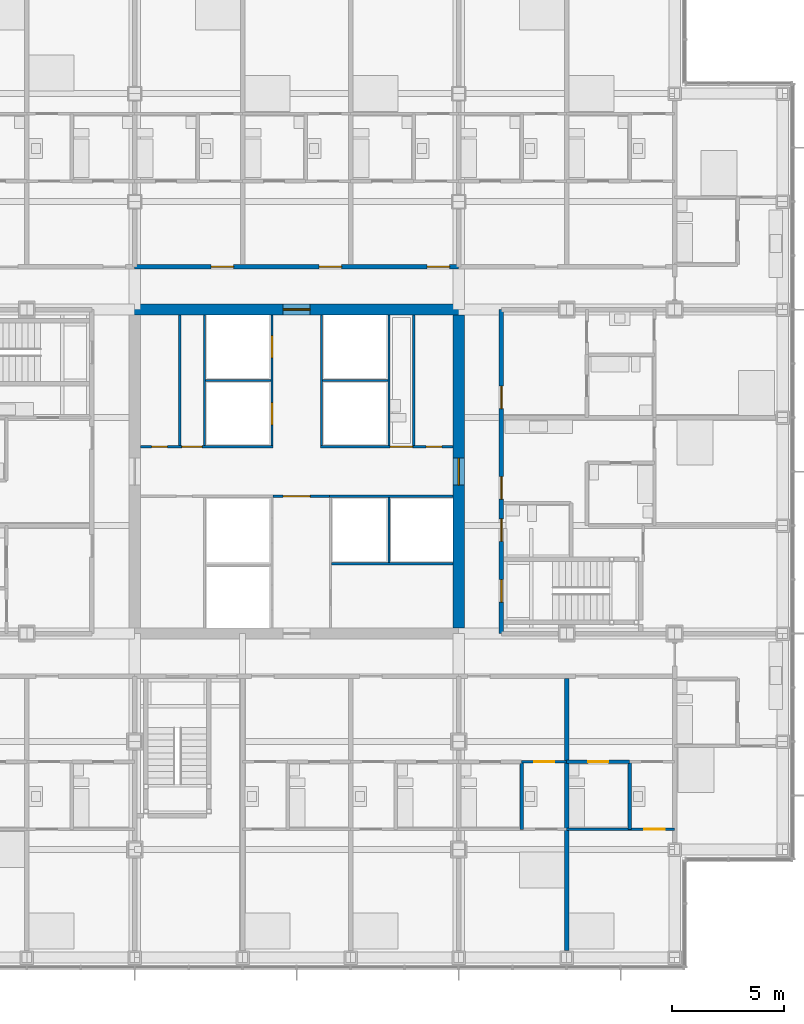
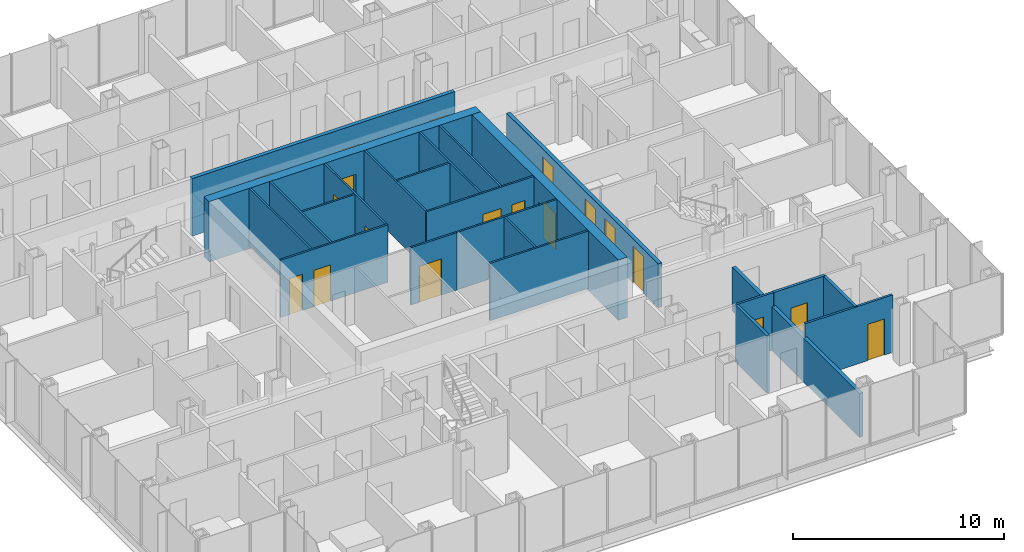
# One storey, part 16 of 22: 24 walls, 19 doors, 19 openings.
"""IFC4 building model written with IfcOpenShell, lengths in metres."""

from ifc_helpers import new_model, si_unit, direction, frame, frame_2d, origin, place, context, subcontext, project, spatial, rectangle, extrude, material, layer, layer_set, type_object, element, fill, save


model = new_model("IFC4")

# Units and contexts
model_context = context("Model", 3, precision=1e-05, world=origin(), true_north=direction((0.0, 1.0)))
body_context = subcontext(model_context, "Body", "Model", "MODEL_VIEW")
ifc_project = project(units=[si_unit("LENGTHUNIT", "METRE"), si_unit("AREAUNIT", "SQUARE_METRE"), si_unit("VOLUMEUNIT", "CUBIC_METRE"), si_unit("PLANEANGLEUNIT", "RADIAN"), si_unit("MASSUNIT", "GRAM", prefix="KILO")], contexts=[model_context])

# Site, building, storey
site_placement = place(None, origin())
site = spatial("IfcSite", under=ifc_project, at=site_placement, CompositionType="ELEMENT")
building_placement = place(site_placement, origin())
building = spatial("IfcBuilding", under=site, at=building_placement, Name="Kvirike Care Tower", CompositionType="ELEMENT")
storey_placement = place(building_placement, frame((0.0, 0.0, 69.0)))
storey = spatial("IfcBuildingStorey", under=building, at=storey_placement, Name="L18", CompositionType="ELEMENT", Elevation=69.0)

# Walls
ifc_material_1 = material(Name="Moisture-resistant board partition", Category="gypsum")
ifc_layer_1 = layer(ifc_material_1, 0.14990234375)
ifc_layer_set_1 = layer_set([ifc_layer_1], Name="BATHROOM WALL 150")
wall_type_1 = type_object("IfcWallType", Name="BATHROOM WALL 150", PredefinedType="PARTITIONING", material=ifc_layer_set_1)
for number, where, z_axis, x_axis, name in (
    (1, (31.60009765625, 20.10009765625, 0.0), (0.0, 0.0, 1.0), (0.0, 1.0, 0.0), "Bathroom Wall 150 L18"),
    (2, (36.39990234375, 20.10009765625, 0.0), (0.0, 0.0, 1.0), (0.0, 1.0, 0.0), "Bathroom Wall 150 L18"),
):
    element("IfcWall", number, at=place(storey_placement, frame(where, z_axis=z_axis, x_axis=x_axis)), inside=storey, type_object=wall_type_1, Name=name, PredefinedType="PARTITIONING", context=body_context, shape_type="SweptSolid", body=[
        extrude(rectangle(XDim=3.0, YDim=0.14990234375, at=frame_2d((1.5, 0.0))), origin(), (0.0, 0.0, 1.0), 3.330078125),
    ])

# Wall, opening, door
wall_1_placement = place(storey_placement, frame((33.60009765625, 23.10009765625, 0.0), z_axis=(0.0, 0.0, 1.0), x_axis=(1.0, 0.0, 0.0)))
wall_1 = element("IfcWall", 3, at=wall_1_placement, inside=storey, type_object=wall_type_1, Name="Bathroom Wall 150 L18", PredefinedType="PARTITIONING", context=body_context, shape_type="SweptSolid", body=[
    extrude(rectangle(XDim=2.7998046875, YDim=0.14990234375, at=frame_2d((1.39990234375, 0.0))), origin(), (0.0, 0.0, 1.0), 3.330078125),
])
opening_1_placement = place(wall_1_placement, frame((0.949951171875, 0.0, 0.0)))
opening_1 = element("IfcOpeningElement", 4, at=opening_1_placement, cuts=wall_1, Name="Opening 18-058", PredefinedType="OPENING", context=body_context, shape_type="SweptSolid", body=[
    extrude(rectangle(XDim=0.89990234375, YDim=2.10009765625, at=frame_2d((0.449951171875, 1.050048828125))), frame((0.0, 0.08544921875, 0.0), z_axis=(0.0, -1.0, 0.0), x_axis=(1.0, 0.0, 0.0)), (0.0, 0.0, 1.0), 0.1708984375),
])
ifc_material_2 = material(Name="Timber door set", Category="wood")
door_type_1 = type_object("IfcDoorType", Name="BATHROOM DOOR 900", OperationType="SINGLE_SWING_RIGHT", PredefinedType="DOOR", material=ifc_material_2)
door_1_placement = place(opening_1_placement, frame((0.89990234375, 0.0, 0.0), z_axis=(0.0, 0.0, 1.0), x_axis=(-1.0, 0.0, 0.0)))
door_1 = element("IfcDoor", 5, at=door_1_placement, inside=storey, type_object=door_type_1, Name="Bathroom door", OperationType="SINGLE_SWING_RIGHT", OverallHeight=2.10009765625, OverallWidth=0.89990234375, PredefinedType="DOOR", context=body_context, shape_type="SweptSolid", body=[
    extrude(rectangle(XDim=0.89990234375, YDim=2.10009765625, at=frame_2d((0.449951171875, 1.050048828125))), frame((0.0, 0.02197265625, 0.0), z_axis=(0.0, -1.0, 0.0), x_axis=(1.0, 0.0, 0.0)), (0.0, 0.0, 1.0), 0.0439453125),
])
fill(opening_1, door_1)

ifc_material_3 = material(Name="Concrete C60/75", Category="concrete")
ifc_layer_2 = layer(ifc_material_3, 0.5)
ifc_layer_set_2 = layer_set([ifc_layer_2], Name="CORE WALL 500 C60-75")
wall_type_2 = type_object("IfcWallType", Name="CORE WALL 500 C60-75", PredefinedType="SHEAR", material=ifc_layer_set_2)
wall_2_placement = place(storey_placement, frame((29.050048828125, 43.199951171875, -0.169921875), z_axis=(0.0, 0.0, 1.0), x_axis=(-1.0, 0.0, 0.0)))
wall_2 = element("IfcWall", 6, at=wall_2_placement, inside=storey, type_object=wall_type_2, Name="Core wall N L18", PredefinedType="SHEAR", context=body_context, shape_type="SweptSolid", body=[
    extrude(rectangle(XDim=14.900146484375, YDim=0.5, at=frame_2d((7.4501953125, 0.0))), origin(), (0.0, 0.0, 1.0), 3.5),
])
opening_2_placement = place(wall_2_placement, frame((6.85009765625, 0.0, 0.169921875)))
opening_2 = element("IfcOpeningElement", 7, at=opening_2_placement, cuts=wall_2, Name="Opening 18-101", PredefinedType="OPENING", context=body_context, shape_type="SweptSolid", body=[
    extrude(rectangle(XDim=1.199951171875, YDim=2.10009765625, at=frame_2d((0.60009765625, 1.050048828125))), frame((0.0, 0.260498046875, 0.0), z_axis=(0.0, -1.0, 0.0), x_axis=(1.0, 0.0, 0.0)), (0.0, 0.0, 1.0), 0.52099609375),
])
ifc_material_4 = material(Name="Timber door set", Category="wood")
door_type_2 = type_object("IfcDoorType", Name="CORE DOOR 1200", OperationType="SINGLE_SWING_LEFT", PredefinedType="DOOR", material=ifc_material_4)
door_2_placement = place(opening_2_placement, origin())
door_2 = element("IfcDoor", 8, at=door_2_placement, inside=storey, type_object=door_type_2, Name="Core door N L18", OperationType="SINGLE_SWING_LEFT", OverallHeight=2.10009765625, OverallWidth=1.199951171875, PredefinedType="DOOR", context=body_context, shape_type="SweptSolid", body=[
    extrude(rectangle(XDim=1.199951171875, YDim=2.10009765625, at=frame_2d((0.60009765625, 1.050048828125))), frame((0.0, 0.02685546875, 0.0), z_axis=(0.0, -1.0, 0.0), x_axis=(1.0, 0.0, 0.0)), (0.0, 0.0, 1.0), 0.053955078125),
])
fill(opening_2, door_2)

wall_3_placement = place(storey_placement, frame((28.800048828125, 29.050048828125, -0.169921875), z_axis=(0.0, 0.0, 1.0), x_axis=(0.0, 1.0, 0.0)))
wall_3 = element("IfcWall", 9, at=wall_3_placement, inside=storey, type_object=wall_type_2, Name="Core wall E L18", PredefinedType="SHEAR", context=body_context, shape_type="SweptSolid", body=[
    extrude(rectangle(XDim=13.89990234375, YDim=0.5, at=frame_2d((6.949951171875, 0.0))), origin(), (0.0, 0.0, 1.0), 3.5),
])
opening_3_placement = place(wall_3_placement, frame((6.35009765625, 0.0, 0.169921875)))
opening_3 = element("IfcOpeningElement", 10, at=opening_3_placement, cuts=wall_3, Name="Opening 18-100", PredefinedType="OPENING", context=body_context, shape_type="SweptSolid", body=[
    extrude(rectangle(XDim=1.199951171875, YDim=2.10009765625, at=frame_2d((0.60009765625, 1.050048828125))), frame((0.0, 0.260498046875, 0.0), z_axis=(0.0, -1.0, 0.0), x_axis=(1.0, 0.0, 0.0)), (0.0, 0.0, 1.0), 0.52099609375),
])
door_3_placement = place(opening_3_placement, origin())
door_3 = element("IfcDoor", 11, at=door_3_placement, inside=storey, type_object=door_type_2, Name="Core door E L18", OperationType="SINGLE_SWING_LEFT", OverallHeight=2.10009765625, OverallWidth=1.199951171875, PredefinedType="DOOR", context=body_context, shape_type="SweptSolid", body=[
    extrude(rectangle(XDim=1.199951171875, YDim=2.10009765625, at=frame_2d((0.60009765625, 1.050048828125))), frame((0.0, 0.02685546875, 0.0), z_axis=(0.0, -1.0, 0.0), x_axis=(1.0, 0.0, 0.0)), (0.0, 0.0, 1.0), 0.053955078125),
])
fill(opening_3, door_3)

# Wall, openings, doors
ifc_material_5 = material(Name="Plasterboard corridor wall", Category="gypsum")
ifc_layer_3 = layer(ifc_material_5, 0.199951171875)
ifc_layer_set_3 = layer_set([ifc_layer_3], Name="CORRIDOR WALL 200")
wall_type_3 = type_object("IfcWallType", Name="CORRIDOR WALL 200", PredefinedType="PARTITIONING", material=ifc_layer_set_3)
wall_4_placement = place(storey_placement, frame((28.800048828125, 45.10009765625, 0.0), z_axis=(0.0, 0.0, 1.0), x_axis=(-1.0, 0.0, 0.0)))
wall_4 = element("IfcWall", 12, at=wall_4_placement, inside=storey, type_object=wall_type_3, Name="Corridor Wall 200 L18", PredefinedType="PARTITIONING", context=body_context, shape_type="SweptSolid", body=[
    extrude(rectangle(XDim=14.400146484375, YDim=0.199951171875, at=frame_2d((7.2001953125, 0.0))), origin(), (0.0, 0.0, 1.0), 3.330078125),
])
opening_4_placement = place(wall_4_placement, frame((0.39990234375, 0.0, 0.0)))
opening_4 = element("IfcOpeningElement", 13, at=opening_4_placement, cuts=wall_4, Name="Opening 18-052", PredefinedType="OPENING", context=body_context, shape_type="SweptSolid", body=[
    extrude(rectangle(XDim=1.0, YDim=2.10009765625, at=frame_2d((0.5, 1.050048828125))), frame((0.0, 0.110595703125, 0.0), z_axis=(0.0, -1.0, 0.0), x_axis=(1.0, 0.0, 0.0)), (0.0, 0.0, 1.0), 0.220947265625),
])
opening_5_placement = place(wall_4_placement, frame((5.199951171875, 0.0, 0.0)))
opening_5 = element("IfcOpeningElement", 14, at=opening_5_placement, cuts=wall_4, Name="Opening 18-053", PredefinedType="OPENING", context=body_context, shape_type="SweptSolid", body=[
    extrude(rectangle(XDim=1.0, YDim=2.10009765625, at=frame_2d((0.5, 1.050048828125))), frame((0.0, 0.110595703125, 0.0), z_axis=(0.0, -1.0, 0.0), x_axis=(1.0, 0.0, 0.0)), (0.0, 0.0, 1.0), 0.220947265625),
])
opening_6_placement = place(wall_4_placement, frame((10.0, 0.0, 0.0)))
opening_6 = element("IfcOpeningElement", 15, at=opening_6_placement, cuts=wall_4, Name="Opening 18-054", PredefinedType="OPENING", context=body_context, shape_type="SweptSolid", body=[
    extrude(rectangle(XDim=1.0, YDim=2.10009765625, at=frame_2d((0.5, 1.050048828125))), frame((0.0, 0.110595703125, 0.0), z_axis=(0.0, -1.0, 0.0), x_axis=(1.0, 0.0, 0.0)), (0.0, 0.0, 1.0), 0.220947265625),
])
ifc_material_6 = material(Name="Timber door set", Category="wood")
door_type_3 = type_object("IfcDoorType", Name="FLAT ENTRANCE DOOR 1000", OperationType="SINGLE_SWING_LEFT", PredefinedType="DOOR", material=ifc_material_6)
door_4_placement = place(opening_4_placement, frame((1.0, 0.0, 0.0), z_axis=(0.0, 0.0, 1.0), x_axis=(-1.0, 0.0, 0.0)))
door_4 = element("IfcDoor", 16, at=door_4_placement, inside=storey, type_object=door_type_3, Name="Studio apartment entrance", OperationType="SINGLE_SWING_LEFT", OverallHeight=2.10009765625, OverallWidth=1.0, PredefinedType="DOOR", context=body_context, shape_type="SweptSolid", body=[
    extrude(rectangle(XDim=1.0, YDim=2.10009765625, at=frame_2d((0.5, 1.050048828125))), frame((0.0, 0.02685546875, 0.0), z_axis=(0.0, -1.0, 0.0), x_axis=(1.0, 0.0, 0.0)), (0.0, 0.0, 1.0), 0.053955078125),
])
fill(opening_4, door_4)
door_5_placement = place(opening_5_placement, frame((1.0, 0.0, 0.0), z_axis=(0.0, 0.0, 1.0), x_axis=(-1.0, 0.0, 0.0)))
door_5 = element("IfcDoor", 17, at=door_5_placement, inside=storey, type_object=door_type_3, Name="Studio apartment entrance", OperationType="SINGLE_SWING_RIGHT", OverallHeight=2.10009765625, OverallWidth=1.0, PredefinedType="DOOR", context=body_context, shape_type="SweptSolid", body=[
    extrude(rectangle(XDim=1.0, YDim=2.10009765625, at=frame_2d((0.5, 1.050048828125))), frame((0.0, 0.02685546875, 0.0), z_axis=(0.0, -1.0, 0.0), x_axis=(1.0, 0.0, 0.0)), (0.0, 0.0, 1.0), 0.053955078125),
])
fill(opening_5, door_5)
door_6_placement = place(opening_6_placement, frame((1.0, 0.0, 0.0), z_axis=(0.0, 0.0, 1.0), x_axis=(-1.0, 0.0, 0.0)))
door_6 = element("IfcDoor", 18, at=door_6_placement, inside=storey, type_object=door_type_3, Name="Studio apartment entrance", OperationType="SINGLE_SWING_LEFT", OverallHeight=2.10009765625, OverallWidth=1.0, PredefinedType="DOOR", context=body_context, shape_type="SweptSolid", body=[
    extrude(rectangle(XDim=1.0, YDim=2.10009765625, at=frame_2d((0.5, 1.050048828125))), frame((0.0, 0.02685546875, 0.0), z_axis=(0.0, -1.0, 0.0), x_axis=(1.0, 0.0, 0.0)), (0.0, 0.0, 1.0), 0.053955078125),
])
fill(opening_6, door_6)

wall_5_placement = place(storey_placement, frame((30.699951171875, 28.800048828125, 0.0), z_axis=(0.0, 0.0, 1.0), x_axis=(0.0, 1.0, 0.0)))
wall_5 = element("IfcWall", 19, at=wall_5_placement, inside=storey, type_object=wall_type_3, Name="Corridor Wall 200 L18", PredefinedType="PARTITIONING", context=body_context, shape_type="SweptSolid", body=[
    extrude(rectangle(XDim=14.39990234375, YDim=0.199951171875, at=frame_2d((7.199951171875, 0.0))), origin(), (0.0, 0.0, 1.0), 2.550048828125),
])
opening_7_placement = place(wall_5_placement, frame((1.39990234375, 0.0, 0.0)))
opening_7 = element("IfcOpeningElement", 20, at=opening_7_placement, cuts=wall_5, Name="Opening 18-072", PredefinedType="OPENING", context=body_context, shape_type="SweptSolid", body=[
    extrude(rectangle(XDim=1.0, YDim=2.10009765625, at=frame_2d((0.5, 1.050048828125))), frame((0.0, 0.110595703125, 0.0), z_axis=(0.0, -1.0, 0.0), x_axis=(1.0, 0.0, 0.0)), (0.0, 0.0, 1.0), 0.220947265625),
])
opening_8_placement = place(wall_5_placement, frame((4.10009765625, 0.0, 0.0)))
opening_8 = element("IfcOpeningElement", 21, at=opening_8_placement, cuts=wall_5, Name="Opening 18-073", PredefinedType="OPENING", context=body_context, shape_type="SweptSolid", body=[
    extrude(rectangle(XDim=1.0, YDim=2.10009765625, at=frame_2d((0.5, 1.050048828125))), frame((0.0, 0.110595703125, 0.0), z_axis=(0.0, -1.0, 0.0), x_axis=(1.0, 0.0, 0.0)), (0.0, 0.0, 1.0), 0.220947265625),
])
opening_9_placement = place(wall_5_placement, frame((5.97509765625, 0.0, 0.0)))
opening_9 = element("IfcOpeningElement", 22, at=opening_9_placement, cuts=wall_5, Name="Opening 18-074", PredefinedType="OPENING", context=body_context, shape_type="SweptSolid", body=[
    extrude(rectangle(XDim=1.0, YDim=2.10009765625, at=frame_2d((0.5, 1.050048828125))), frame((0.0, 0.110595703125, 0.0), z_axis=(0.0, -1.0, 0.0), x_axis=(1.0, 0.0, 0.0)), (0.0, 0.0, 1.0), 0.220947265625),
])
opening_10_placement = place(wall_5_placement, frame((10.0, 0.0, 0.0)))
opening_10 = element("IfcOpeningElement", 23, at=opening_10_placement, cuts=wall_5, Name="Opening 18-075", PredefinedType="OPENING", context=body_context, shape_type="SweptSolid", body=[
    extrude(rectangle(XDim=1.0, YDim=2.10009765625, at=frame_2d((0.5, 1.050048828125))), frame((0.0, 0.110595703125, 0.0), z_axis=(0.0, -1.0, 0.0), x_axis=(1.0, 0.0, 0.0)), (0.0, 0.0, 1.0), 0.220947265625),
])
door_7_placement = place(opening_9_placement, frame((1.0, 0.0, 0.0), z_axis=(0.0, 0.0, 1.0), x_axis=(-1.0, 0.0, 0.0)))
door_7 = element("IfcDoor", 24, at=door_7_placement, inside=storey, type_object=door_type_3, Name="One-bedroom apartment entrance", OperationType="SINGLE_SWING_LEFT", OverallHeight=2.10009765625, OverallWidth=1.0, PredefinedType="DOOR", context=body_context, shape_type="SweptSolid", body=[
    extrude(rectangle(XDim=1.0, YDim=2.10009765625, at=frame_2d((0.5, 1.050048828125))), frame((0.0, 0.02685546875, 0.0), z_axis=(0.0, -1.0, 0.0), x_axis=(1.0, 0.0, 0.0)), (0.0, 0.0, 1.0), 0.053955078125),
])
fill(opening_9, door_7)
door_8_placement = place(opening_10_placement, frame((1.0, 0.0, 0.0), z_axis=(0.0, 0.0, 1.0), x_axis=(-1.0, 0.0, 0.0)))
door_8 = element("IfcDoor", 25, at=door_8_placement, inside=storey, type_object=door_type_3, Name="Studio apartment entrance", OperationType="SINGLE_SWING_LEFT", OverallHeight=2.10009765625, OverallWidth=1.0, PredefinedType="DOOR", context=body_context, shape_type="SweptSolid", body=[
    extrude(rectangle(XDim=1.0, YDim=2.10009765625, at=frame_2d((0.5, 1.050048828125))), frame((0.0, 0.02685546875, 0.0), z_axis=(0.0, -1.0, 0.0), x_axis=(1.0, 0.0, 0.0)), (0.0, 0.0, 1.0), 0.053955078125),
])
fill(opening_10, door_8)
ifc_material_7 = material(Name="Timber door set", Category="wood")
door_type_4 = type_object("IfcDoorType", Name="STAIR DOOR 1000", OperationType="SINGLE_SWING_LEFT", PredefinedType="DOOR", material=ifc_material_7)
door_9_placement = place(opening_7_placement, frame((1.0, 0.0, 0.0), z_axis=(0.0, 0.0, 1.0), x_axis=(-1.0, 0.0, 0.0)))
door_9 = element("IfcDoor", 26, at=door_9_placement, inside=storey, type_object=door_type_4, Name="Stair 2 door", OperationType="SINGLE_SWING_LEFT", OverallHeight=2.10009765625, OverallWidth=1.0, PredefinedType="DOOR", context=body_context, shape_type="SweptSolid", body=[
    extrude(rectangle(XDim=1.0, YDim=2.10009765625, at=frame_2d((0.5, 1.050048828125))), frame((0.0, 0.031982421875, 0.0), z_axis=(0.0, -1.0, 0.0), x_axis=(1.0, 0.0, 0.0)), (0.0, 0.0, 1.0), 0.06396484375),
])
fill(opening_7, door_9)
ifc_material_8 = material(Name="Timber door set", Category="wood")
door_type_5 = type_object("IfcDoorType", Name="WC DOOR 1000", OperationType="SINGLE_SWING_LEFT", PredefinedType="DOOR", material=ifc_material_8)
door_10_placement = place(opening_8_placement, frame((1.0, 0.0, 0.0), z_axis=(0.0, 0.0, 1.0), x_axis=(-1.0, 0.0, 0.0)))
door_10 = element("IfcDoor", 27, at=door_10_placement, inside=storey, type_object=door_type_5, Name="Accessible WC door", OperationType="SINGLE_SWING_LEFT", OverallHeight=2.10009765625, OverallWidth=1.0, PredefinedType="DOOR", context=body_context, shape_type="SweptSolid", body=[
    extrude(rectangle(XDim=1.0, YDim=2.10009765625, at=frame_2d((0.5, 1.050048828125))), frame((0.0, 0.02685546875, 0.0), z_axis=(0.0, -1.0, 0.0), x_axis=(1.0, 0.0, 0.0)), (0.0, 0.0, 1.0), 0.053955078125),
])
fill(opening_8, door_10)

# Wall, opening, door
ifc_material_9 = material(Name="Plasterboard partition", Category="gypsum")
ifc_layer_4 = layer(ifc_material_9, 0.1201171875)
ifc_layer_set_4 = layer_set([ifc_layer_4], Name="PARTITION 120")
wall_type_4 = type_object("IfcWallType", Name="PARTITION 120", PredefinedType="PARTITIONING", material=ifc_layer_set_4)
wall_6_placement = place(storey_placement, frame((31.60009765625, 23.10009765625, 0.0), z_axis=(0.0, 0.0, 1.0), x_axis=(1.0, 0.0, 0.0)))
wall_6 = element("IfcWall", 28, at=wall_6_placement, inside=storey, type_object=wall_type_4, Name="Partition 120 L18", PredefinedType="PARTITIONING", context=body_context, shape_type="SweptSolid", body=[
    extrude(rectangle(XDim=2.0, YDim=0.1201171875, at=frame_2d((1.0, 0.0))), origin(), (0.0, 0.0, 1.0), 3.330078125),
])
opening_11_placement = place(wall_6_placement, frame((0.550048828125, 0.0, 0.0)))
opening_11 = element("IfcOpeningElement", 29, at=opening_11_placement, cuts=wall_6, Name="Opening 18-056", PredefinedType="OPENING", context=body_context, shape_type="SweptSolid", body=[
    extrude(rectangle(XDim=0.89990234375, YDim=2.10009765625, at=frame_2d((0.449951171875, 1.050048828125))), frame((0.0, 0.070556640625, 0.0), z_axis=(0.0, -1.0, 0.0), x_axis=(1.0, 0.0, 0.0)), (0.0, 0.0, 1.0), 0.14111328125),
])
ifc_material_10 = material(Name="Timber door set", Category="wood")
door_type_6 = type_object("IfcDoorType", Name="INTERNAL DOOR 900", OperationType="SINGLE_SWING_LEFT", PredefinedType="DOOR", material=ifc_material_10)
door_11_placement = place(opening_11_placement, frame((0.89990234375, 0.0, 0.0), z_axis=(0.0, 0.0, 1.0), x_axis=(-1.0, 0.0, 0.0)))
door_11 = element("IfcDoor", 30, at=door_11_placement, inside=storey, type_object=door_type_6, Name="Kitchen door", OperationType="SINGLE_SWING_LEFT", OverallHeight=2.10009765625, OverallWidth=0.89990234375, PredefinedType="DOOR", context=body_context, shape_type="SweptSolid", body=[
    extrude(rectangle(XDim=0.89990234375, YDim=2.10009765625, at=frame_2d((0.449951171875, 1.050048828125))), frame((0.0, 0.02197265625, 0.0), z_axis=(0.0, -1.0, 0.0), x_axis=(1.0, 0.0, 0.0)), (0.0, 0.0, 1.0), 0.0439453125),
])
fill(opening_11, door_11)

wall_7_placement = place(storey_placement, frame((33.60009765625, 20.10009765625, 0.0), z_axis=(0.0, 0.0, 1.0), x_axis=(1.0, 0.0, 0.0)))
wall_7 = element("IfcWall", 31, at=wall_7_placement, inside=storey, type_object=wall_type_4, Name="Partition 120 L18", PredefinedType="PARTITIONING", context=body_context, shape_type="SweptSolid", body=[
    extrude(rectangle(XDim=4.7998046875, YDim=0.1201171875, at=frame_2d((2.39990234375, 0.0))), origin(), (0.0, 0.0, 1.0), 3.330078125),
])
opening_12_placement = place(wall_7_placement, frame((3.449951171875, 0.0, 0.0)))
opening_12 = element("IfcOpeningElement", 32, at=opening_12_placement, cuts=wall_7, Name="Opening 18-060", PredefinedType="OPENING", context=body_context, shape_type="SweptSolid", body=[
    extrude(rectangle(XDim=0.89990234375, YDim=2.10009765625, at=frame_2d((0.449951171875, 1.050048828125))), frame((0.0, 0.070556640625, 0.0), z_axis=(0.0, -1.0, 0.0), x_axis=(1.0, 0.0, 0.0)), (0.0, 0.0, 1.0), 0.14111328125),
])
door_12_placement = place(opening_12_placement, origin())
door_12 = element("IfcDoor", 33, at=door_12_placement, inside=storey, type_object=door_type_6, Name="Studio apartment living room door", OperationType="SINGLE_SWING_LEFT", OverallHeight=2.10009765625, OverallWidth=0.89990234375, PredefinedType="DOOR", context=body_context, shape_type="SweptSolid", body=[
    extrude(rectangle(XDim=0.89990234375, YDim=2.10009765625, at=frame_2d((0.449951171875, 1.050048828125))), frame((0.0, 0.02197265625, 0.0), z_axis=(0.0, -1.0, 0.0), x_axis=(1.0, 0.0, 0.0)), (0.0, 0.0, 1.0), 0.0439453125),
])
fill(opening_12, door_12)

# Walls
ifc_material_11 = material(Name="Plasterboard party wall", Category="gypsum")
ifc_layer_5 = layer(ifc_material_11, 0.199951171875)
ifc_layer_set_5 = layer_set([ifc_layer_5], Name="PARTY WALL 200")
wall_type_5 = type_object("IfcWallType", Name="PARTY WALL 200", PredefinedType="PARTITIONING", material=ifc_layer_set_5)
wall_8_placement = place(storey_placement, frame((33.60009765625, 14.719970703125, 0.0), z_axis=(0.0, 0.0, 1.0), x_axis=(0.0, 1.0, 0.0)))
element("IfcWall", 34, at=wall_8_placement, inside=storey, type_object=wall_type_5, Name="Party Wall 200 L18", PredefinedType="PARTITIONING", context=body_context, shape_type="SweptSolid", body=[
    extrude(rectangle(XDim=12.080078125, YDim=0.199951171875, at=frame_2d((6.0400390625, 0.0))), origin(), (0.0, 0.0, 1.0), 2.550048828125),
])
ifc_material_12 = material(Name="Gypsum shaft wall system", Category="gypsum")
ifc_layer_6 = layer(ifc_material_12, 0.10009765625)
ifc_layer_set_6 = layer_set([ifc_layer_6], Name="SHAFT WALL 100")
wall_type_6 = type_object("IfcWallType", Name="SHAFT WALL 100", PredefinedType="SOLIDWALL", material=ifc_layer_set_6)
for number, where, z_axis, x_axis, name in (
    (35, (16.39990234375, 37.14990234375, 0.0), (0.0, 0.0, 1.0), (0.0, 1.0, 0.0), "Shaft Wall 100 L18"),
    (36, (26.800048828125, 37.14990234375, 0.0), (0.0, 0.0, 1.0), (0.0, 1.0, 0.0), "Shaft Wall 100 L18"),
):
    element("IfcWall", number, at=place(storey_placement, frame(where, z_axis=z_axis, x_axis=x_axis)), inside=storey, type_object=wall_type_6, Name=name, PredefinedType="SOLIDWALL", context=body_context, shape_type="SweptSolid", body=[
        extrude(rectangle(XDim=5.800048828125, YDim=0.10009765625, at=frame_2d((2.89990234375, 0.0))), origin(), (0.0, 0.0, 1.0), 3.330078125),
    ])

# Wall, openings, doors
wall_9_placement = place(storey_placement, frame((20.5, 37.14990234375, 0.0), z_axis=(0.0, 0.0, 1.0), x_axis=(0.0, 1.0, 0.0)))
wall_9 = element("IfcWall", 37, at=wall_9_placement, inside=storey, type_object=wall_type_6, Name="Shaft Wall 100 L18", PredefinedType="SOLIDWALL", context=body_context, shape_type="SweptSolid", body=[
    extrude(rectangle(XDim=5.800048828125, YDim=0.10009765625, at=frame_2d((2.89990234375, 0.0))), origin(), (0.0, 0.0, 1.0), 3.330078125),
])
opening_13_placement = place(wall_9_placement, frame((0.925048828125, 0.0, 0.0)))
opening_13 = element("IfcOpeningElement", 38, at=opening_13_placement, cuts=wall_9, Name="Opening 18-089", PredefinedType="OPENING", context=body_context, shape_type="SweptSolid", body=[
    extrude(rectangle(XDim=1.0, YDim=2.10009765625, at=frame_2d((0.5, 1.050048828125))), frame((0.0, 0.060546875, 0.0), z_axis=(0.0, -1.0, 0.0), x_axis=(1.0, 0.0, 0.0)), (0.0, 0.0, 1.0), 0.12109375),
])
opening_14_placement = place(wall_9_placement, frame((3.89990234375, 0.0, 0.0)))
opening_14 = element("IfcOpeningElement", 39, at=opening_14_placement, cuts=wall_9, Name="Opening 18-090", PredefinedType="OPENING", context=body_context, shape_type="SweptSolid", body=[
    extrude(rectangle(XDim=1.0, YDim=2.10009765625, at=frame_2d((0.5, 1.050048828125))), frame((0.0, 0.060546875, 0.0), z_axis=(0.0, -1.0, 0.0), x_axis=(1.0, 0.0, 0.0)), (0.0, 0.0, 1.0), 0.12109375),
])
ifc_material_13 = material(Name="Aluminium door frame", Category="aluminium")
door_type_7 = type_object("IfcDoorType", Name="LIFT LANDING DOOR 1000", OperationType="SLIDING_TO_LEFT", PredefinedType="DOOR", material=ifc_material_13)
door_13_placement = place(opening_13_placement, origin())
door_13 = element("IfcDoor", 40, at=door_13_placement, inside=storey, type_object=door_type_7, Name="Lift P1 landing door", OperationType="SLIDING_TO_LEFT", OverallHeight=2.10009765625, OverallWidth=1.0, PredefinedType="DOOR", context=body_context, shape_type="SweptSolid", body=[
    extrude(rectangle(XDim=1.0, YDim=2.10009765625, at=frame_2d((0.5, 1.050048828125))), frame((0.0, 0.0498046875, 0.0), z_axis=(0.0, -1.0, 0.0), x_axis=(1.0, 0.0, 0.0)), (0.0, 0.0, 1.0), 0.099609375),
])
fill(opening_13, door_13)
door_14_placement = place(opening_14_placement, origin())
door_14 = element("IfcDoor", 41, at=door_14_placement, inside=storey, type_object=door_type_7, Name="Lift P2 landing door", OperationType="SLIDING_TO_LEFT", OverallHeight=2.10009765625, OverallWidth=1.0, PredefinedType="DOOR", context=body_context, shape_type="SweptSolid", body=[
    extrude(rectangle(XDim=1.0, YDim=2.10009765625, at=frame_2d((0.5, 1.050048828125))), frame((0.0, 0.0498046875, 0.0), z_axis=(0.0, -1.0, 0.0), x_axis=(1.0, 0.0, 0.0)), (0.0, 0.0, 1.0), 0.099609375),
])
fill(opening_14, door_14)

# Walls
wall_10_placement = place(storey_placement, frame((22.699951171875, 37.14990234375, 0.0), z_axis=(0.0, 0.0, 1.0), x_axis=(0.0, 1.0, 0.0)))
element("IfcWall", 42, at=wall_10_placement, inside=storey, type_object=wall_type_6, Name="Shaft Wall 100 L18", PredefinedType="SOLIDWALL", context=body_context, shape_type="SweptSolid", body=[
    extrude(rectangle(XDim=5.800048828125, YDim=0.10009765625, at=frame_2d((2.89990234375, 0.0))), origin(), (0.0, 0.0, 1.0), 3.330078125),
])
wall_11_placement = place(storey_placement, frame((23.050048828125, 34.89990234375, 0.0), z_axis=(0.0, 0.0, 1.0), x_axis=(1.0, 0.0, 0.0)))
element("IfcWall", 43, at=wall_11_placement, inside=storey, type_object=wall_type_6, Name="Shaft Wall 100 L18", PredefinedType="SOLIDWALL", context=body_context, shape_type="SweptSolid", body=[
    extrude(rectangle(XDim=5.5, YDim=0.10009765625, at=frame_2d((2.75, 0.0))), origin(), (0.0, 0.0, 1.0), 3.330078125),
])

# Wall, openings, doors
wall_12_placement = place(storey_placement, frame((14.64990234375, 37.10009765625, 0.0), z_axis=(0.0, 0.0, 1.0), x_axis=(1.0, 0.0, 0.0)))
wall_12 = element("IfcWall", 44, at=wall_12_placement, inside=storey, type_object=wall_type_6, Name="Shaft Wall 100 L18", PredefinedType="SOLIDWALL", context=body_context, shape_type="SweptSolid", body=[
    extrude(rectangle(XDim=5.900146484375, YDim=0.10009765625, at=frame_2d((2.9501953125, 0.0))), origin(), (0.0, 0.0, 1.0), 3.330078125),
])
opening_15_placement = place(wall_12_placement, frame((0.5, 0.0, 0.0)))
opening_15 = element("IfcOpeningElement", 45, at=opening_15_placement, cuts=wall_12, Name="Opening 18-093", PredefinedType="OPENING", context=body_context, shape_type="SweptSolid", body=[
    extrude(rectangle(XDim=0.699951171875, YDim=2.10009765625, at=frame_2d((0.35009765625, 1.050048828125))), frame((0.0, 0.060546875, 0.0), z_axis=(0.0, -1.0, 0.0), x_axis=(1.0, 0.0, 0.0)), (0.0, 0.0, 1.0), 0.12109375),
])
opening_16_placement = place(wall_12_placement, frame((1.85009765625, 0.0, 0.0)))
opening_16 = element("IfcOpeningElement", 46, at=opening_16_placement, cuts=wall_12, Name="Opening 18-094", PredefinedType="OPENING", context=body_context, shape_type="SweptSolid", body=[
    extrude(rectangle(XDim=0.89990234375, YDim=2.10009765625, at=frame_2d((0.449951171875, 1.050048828125))), frame((0.0, 0.060546875, 0.0), z_axis=(0.0, -1.0, 0.0), x_axis=(1.0, 0.0, 0.0)), (0.0, 0.0, 1.0), 0.12109375),
])
ifc_material_14 = material(Name="Timber door set", Category="wood")
door_type_8 = type_object("IfcDoorType", Name="RISER DOOR 700", OperationType="SINGLE_SWING_LEFT", PredefinedType="DOOR", material=ifc_material_14)
door_15_placement = place(opening_15_placement, origin())
door_15 = element("IfcDoor", 47, at=door_15_placement, inside=storey, type_object=door_type_8, Name="Riser door", OperationType="SINGLE_SWING_RIGHT", OverallHeight=2.10009765625, OverallWidth=0.699951171875, PredefinedType="DOOR", context=body_context, shape_type="SweptSolid", body=[
    extrude(rectangle(XDim=0.699951171875, YDim=2.10009765625, at=frame_2d((0.35009765625, 1.050048828125))), frame((0.0, 0.02685546875, 0.0), z_axis=(0.0, -1.0, 0.0), x_axis=(1.0, 0.0, 0.0)), (0.0, 0.0, 1.0), 0.053955078125),
])
fill(opening_15, door_15)
ifc_material_15 = material(Name="Timber door set", Category="wood")
door_type_9 = type_object("IfcDoorType", Name="STORE DOOR 900", OperationType="SINGLE_SWING_LEFT", PredefinedType="DOOR", material=ifc_material_15)
door_16_placement = place(opening_16_placement, origin())
door_16 = element("IfcDoor", 48, at=door_16_placement, inside=storey, type_object=door_type_9, Name="Housekeeping store door", OperationType="SINGLE_SWING_RIGHT", OverallHeight=2.10009765625, OverallWidth=0.89990234375, PredefinedType="DOOR", context=body_context, shape_type="SweptSolid", body=[
    extrude(rectangle(XDim=0.89990234375, YDim=2.10009765625, at=frame_2d((0.449951171875, 1.050048828125))), frame((0.0, 0.02685546875, 0.0), z_axis=(0.0, -1.0, 0.0), x_axis=(1.0, 0.0, 0.0)), (0.0, 0.0, 1.0), 0.053955078125),
])
fill(opening_16, door_16)

wall_13_placement = place(storey_placement, frame((22.64990234375, 37.10009765625, 0.0), z_axis=(0.0, 0.0, 1.0), x_axis=(1.0, 0.0, 0.0)))
wall_13 = element("IfcWall", 49, at=wall_13_placement, inside=storey, type_object=wall_type_6, Name="Shaft Wall 100 L18", PredefinedType="SOLIDWALL", context=body_context, shape_type="SweptSolid", body=[
    extrude(rectangle(XDim=5.900146484375, YDim=0.10009765625, at=frame_2d((2.9501953125, 0.0))), origin(), (0.0, 0.0, 1.0), 3.330078125),
])
opening_17_placement = place(wall_13_placement, frame((3.10009765625, 0.0, 0.0)))
opening_17 = element("IfcOpeningElement", 50, at=opening_17_placement, cuts=wall_13, Name="Opening 18-095", PredefinedType="OPENING", context=body_context, shape_type="SweptSolid", body=[
    extrude(rectangle(XDim=1.0, YDim=2.10009765625, at=frame_2d((0.5, 1.050048828125))), frame((0.0, 0.060546875, 0.0), z_axis=(0.0, -1.0, 0.0), x_axis=(1.0, 0.0, 0.0)), (0.0, 0.0, 1.0), 0.12109375),
])
opening_18_placement = place(wall_13_placement, frame((4.699951171875, 0.0, 0.0)))
opening_18 = element("IfcOpeningElement", 51, at=opening_18_placement, cuts=wall_13, Name="Opening 18-096", PredefinedType="OPENING", context=body_context, shape_type="SweptSolid", body=[
    extrude(rectangle(XDim=0.699951171875, YDim=2.10009765625, at=frame_2d((0.35009765625, 1.050048828125))), frame((0.0, 0.060546875, 0.0), z_axis=(0.0, -1.0, 0.0), x_axis=(1.0, 0.0, 0.0)), (0.0, 0.0, 1.0), 0.12109375),
])
door_17_placement = place(opening_18_placement, origin())
door_17 = element("IfcDoor", 52, at=door_17_placement, inside=storey, type_object=door_type_8, Name="Riser door", OperationType="SINGLE_SWING_LEFT", OverallHeight=2.10009765625, OverallWidth=0.699951171875, PredefinedType="DOOR", context=body_context, shape_type="SweptSolid", body=[
    extrude(rectangle(XDim=0.699951171875, YDim=2.10009765625, at=frame_2d((0.35009765625, 1.050048828125))), frame((0.0, 0.02685546875, 0.0), z_axis=(0.0, -1.0, 0.0), x_axis=(1.0, 0.0, 0.0)), (0.0, 0.0, 1.0), 0.053955078125),
])
fill(opening_18, door_17)
door_18_placement = place(opening_17_placement, origin())
door_18 = element("IfcDoor", 53, at=door_18_placement, inside=storey, type_object=door_type_5, Name="Staff WC door", OperationType="SINGLE_SWING_LEFT", OverallHeight=2.10009765625, OverallWidth=1.0, PredefinedType="DOOR", context=body_context, shape_type="SweptSolid", body=[
    extrude(rectangle(XDim=1.0, YDim=2.10009765625, at=frame_2d((0.5, 1.050048828125))), frame((0.0, 0.02685546875, 0.0), z_axis=(0.0, -1.0, 0.0), x_axis=(1.0, 0.0, 0.0)), (0.0, 0.0, 1.0), 0.053955078125),
])
fill(opening_17, door_18)

# Wall, opening, door
wall_14_placement = place(storey_placement, frame((20.550048828125, 34.89990234375, 0.0), z_axis=(0.0, 0.0, 1.0), x_axis=(1.0, 0.0, 0.0)))
wall_14 = element("IfcWall", 54, at=wall_14_placement, inside=storey, type_object=wall_type_6, Name="Shaft Wall 100 L18", PredefinedType="SOLIDWALL", context=body_context, shape_type="SweptSolid", body=[
    extrude(rectangle(XDim=2.5, YDim=0.10009765625, at=frame_2d((1.25, 0.0))), origin(), (0.0, 0.0, 1.0), 3.330078125),
])
opening_19_placement = place(wall_14_placement, frame((0.449951171875, 0.0, 0.0)))
opening_19 = element("IfcOpeningElement", 55, at=opening_19_placement, cuts=wall_14, Name="Opening 18-097", PredefinedType="OPENING", context=body_context, shape_type="SweptSolid", body=[
    extrude(rectangle(XDim=1.199951171875, YDim=2.10009765625, at=frame_2d((0.60009765625, 1.050048828125))), frame((0.0, 0.060546875, 0.0), z_axis=(0.0, -1.0, 0.0), x_axis=(1.0, 0.0, 0.0)), (0.0, 0.0, 1.0), 0.12109375),
])
door_19_placement = place(opening_19_placement, frame((1.199951171875, 0.0, 0.0), z_axis=(0.0, 0.0, 1.0), x_axis=(-1.0, 0.0, 0.0)))
door_19 = element("IfcDoor", 56, at=door_19_placement, inside=storey, type_object=door_type_2, Name="Fire-fighting lobby door", OperationType="SINGLE_SWING_LEFT", OverallHeight=2.10009765625, OverallWidth=1.199951171875, PredefinedType="DOOR", context=body_context, shape_type="SweptSolid", body=[
    extrude(rectangle(XDim=1.199951171875, YDim=2.10009765625, at=frame_2d((0.60009765625, 1.050048828125))), frame((0.0, 0.02685546875, 0.0), z_axis=(0.0, -1.0, 0.0), x_axis=(1.0, 0.0, 0.0)), (0.0, 0.0, 1.0), 0.053955078125),
])
fill(opening_19, door_19)

# Walls
wall_15_placement = place(storey_placement, frame((17.5, 37.14990234375, 0.0), z_axis=(0.0, 0.0, 1.0), x_axis=(0.0, 1.0, 0.0)))
element("IfcWall", 57, at=wall_15_placement, inside=storey, type_object=wall_type_6, Name="Shaft Wall 100 L18", PredefinedType="SOLIDWALL", context=body_context, shape_type="SweptSolid", body=[
    extrude(rectangle(XDim=5.800048828125, YDim=0.10009765625, at=frame_2d((2.89990234375, 0.0))), origin(), (0.0, 0.0, 1.0), 3.330078125),
])
for number, where, z_axis, x_axis, name in (
    (58, (17.550048828125, 40.050048828125, 0.0), (0.0, 0.0, 1.0), (1.0, 0.0, 0.0), "Shaft Wall 100 L18"),
    (59, (22.75, 40.050048828125, 0.0), (0.0, 0.0, 1.0), (1.0, 0.0, 0.0), "Shaft Wall 100 L18"),
):
    element("IfcWall", number, at=place(storey_placement, frame(where, z_axis=z_axis, x_axis=x_axis)), inside=storey, type_object=wall_type_6, Name=name, PredefinedType="SOLIDWALL", context=body_context, shape_type="SweptSolid", body=[
        extrude(rectangle(XDim=2.89990234375, YDim=0.10009765625, at=frame_2d((1.449951171875, 0.0))), origin(), (0.0, 0.0, 1.0), 3.330078125),
    ])
wall_16_placement = place(storey_placement, frame((25.699951171875, 37.14990234375, 0.0), z_axis=(0.0, 0.0, 1.0), x_axis=(0.0, 1.0, 0.0)))
element("IfcWall", 60, at=wall_16_placement, inside=storey, type_object=wall_type_6, Name="Shaft Wall 100 L18", PredefinedType="SOLIDWALL", context=body_context, shape_type="SweptSolid", body=[
    extrude(rectangle(XDim=5.800048828125, YDim=0.10009765625, at=frame_2d((2.89990234375, 0.0))), origin(), (0.0, 0.0, 1.0), 3.330078125),
])
wall_17_placement = place(storey_placement, frame((25.699951171875, 31.949951171875, 0.0), z_axis=(0.0, 0.0, 1.0), x_axis=(0.0, 1.0, 0.0)))
element("IfcWall", 61, at=wall_17_placement, inside=storey, type_object=wall_type_6, Name="Shaft Wall 100 L18", PredefinedType="SOLIDWALL", context=body_context, shape_type="SweptSolid", body=[
    extrude(rectangle(XDim=2.900146484375, YDim=0.10009765625, at=frame_2d((1.4501953125, 0.0))), origin(), (0.0, 0.0, 1.0), 3.330078125),
])
wall_18_placement = place(storey_placement, frame((23.14990234375, 31.89990234375, 0.0), z_axis=(0.0, 0.0, 1.0), x_axis=(1.0, 0.0, 0.0)))
element("IfcWall", 62, at=wall_18_placement, inside=storey, type_object=wall_type_6, Name="Shaft Wall 100 L18", PredefinedType="SOLIDWALL", context=body_context, shape_type="SweptSolid", body=[
    extrude(rectangle(XDim=5.400146484375, YDim=0.10009765625, at=frame_2d((2.7001953125, 0.0))), origin(), (0.0, 0.0, 1.0), 3.330078125),
])

save(model, "model.ifc")
